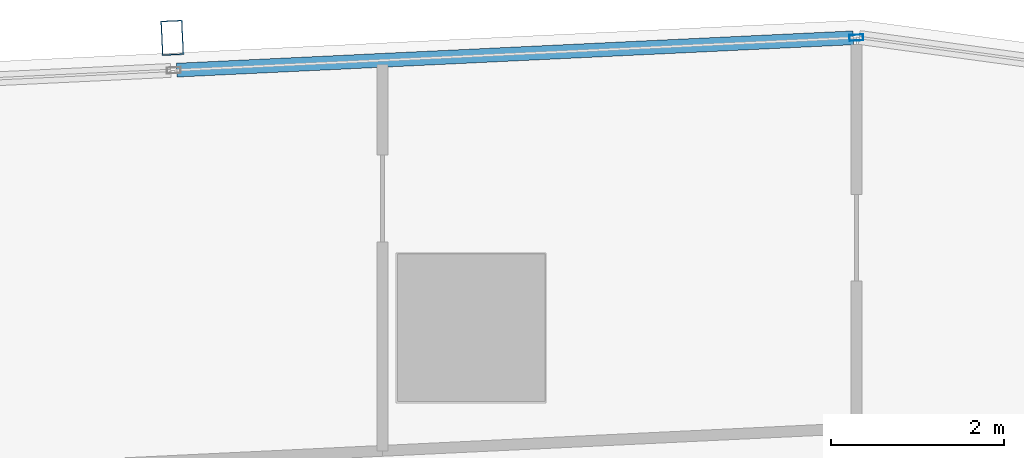
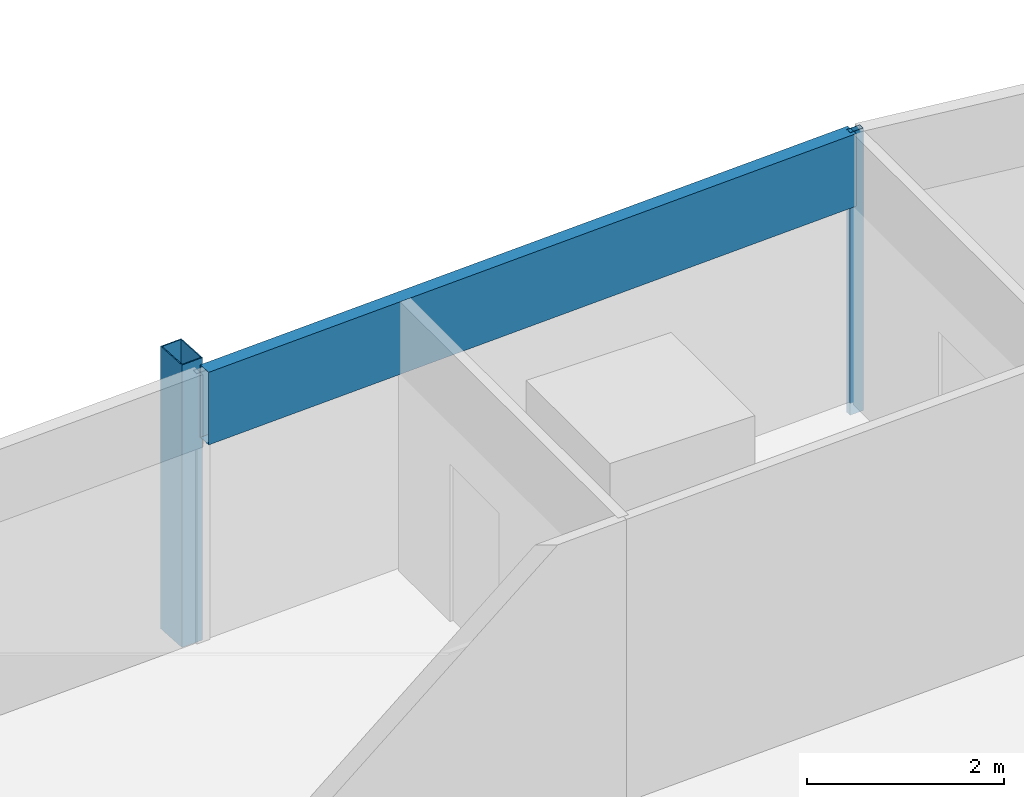
# One storey, part 25 of 39: 3 members, 1 element without a shape of its own.
"""IFC4 building model written with IfcOpenShell, lengths in metres."""

from ifc_helpers import new_model, si_unit, direction, frame, origin, origin_2d, place, context, subcontext, project, spatial, hollow_rectangle, extrude, material, material_profile, profile_set, type_object, element, aggregate, save


model = new_model("IFC4")

# Units and contexts
model_context = context("Model", 3, precision=1e-05, world=origin(), true_north=direction((0.0, 1.0)))
body_context = subcontext(model_context, "Body", "Model", "MODEL_VIEW")
ifc_project = project(units=[si_unit("LENGTHUNIT", "METRE"), si_unit("AREAUNIT", "SQUARE_METRE"), si_unit("VOLUMEUNIT", "CUBIC_METRE"), si_unit("PLANEANGLEUNIT", "RADIAN"), si_unit("MASSUNIT", "GRAM", prefix="KILO")], contexts=[model_context])

# Site, building, storey
site_placement = place(None, origin())
site = spatial("IfcSite", under=ifc_project, at=site_placement, CompositionType="ELEMENT")
building_placement = place(site_placement, origin())
building = spatial("IfcBuilding", under=site, at=building_placement, Name="Rekha Terrace Tower", CompositionType="ELEMENT")
storey_placement = place(building_placement, frame((0.0, 0.0, 183.949951171875)))
storey = spatial("IfcBuildingStorey", under=building, at=storey_placement, Name="L46", CompositionType="ELEMENT", Elevation=183.949951171875)

# Curtain wall, members
ifc_material_1 = material(Name="Aluminium framing", Category="aluminium")
curtain_wall_type = type_object("IfcCurtainWallType", Name="CW3 north unitised glazing", PredefinedType="USERDEFINED", material=ifc_material_1)
curtain_wall_placement = place(storey_placement, origin())
curtain_wall = element("IfcCurtainWall", 1, at=curtain_wall_placement, inside=storey, type_object=curtain_wall_type, Name="CW3 unitised curtain wall", ObjectType="UNITISED CURTAIN WALL", PredefinedType="USERDEFINED")
ifc_material_2 = material(Name="Steel S355 with fluorocarbon finish", Category="steel")
ifc_material_profile_1 = material_profile(ifc_material_2, hollow_rectangle(XDim=0.25, YDim=0.39990234375, WallThickness=0.012451171875, at=origin_2d()), Name="RHS400x250x12.5")
ifc_profile_set_1 = profile_set([ifc_material_profile_1], Name="Steel S355 with fluorocarbon finish")
member_type_1 = type_object("IfcMemberType", Name="BL1 facade blade RHS 400 x 250", PredefinedType="USERDEFINED", material=ifc_profile_set_1)
member_1_placement = place(storey_placement, frame((38.55224609375, 62.145751953125, 0.0), z_axis=(0.0, 0.0, 1.0), x_axis=(-0.998858913274, -0.04775846913, 0.0)))
member_1 = element("IfcMember", 2, at=member_1_placement, type_object=member_type_1, Name="Facade blade", ObjectType="FACADE BLADE", PredefinedType="USERDEFINED", context=body_context, shape_type="SweptSolid", body=[
    extrude(hollow_rectangle(XDim=0.25, YDim=0.39990234375, WallThickness=0.012451171875, at=origin_2d()), origin(), (0.0, 0.0, 1.0), 3.5),
])
ifc_material_3 = material(Name="Aluminium mullion section", Category="aluminium")
ifc_material_profile_2 = material_profile(ifc_material_3, hollow_rectangle(XDim=0.070068359375, YDim=0.159912109375, WallThickness=0.00390625, at=origin_2d()), Name="AL RHS 70x160")
ifc_profile_set_2 = profile_set([ifc_material_profile_2], Name="Aluminium mullion section")
member_type_2 = type_object("IfcMemberType", Name="CW3 mullion RHS 70 x 160", PredefinedType="MULLION", material=ifc_profile_set_2)
member_2_placement = place(storey_placement, frame((46.4443359375, 62.147705078125, 0.0), z_axis=(0.0, 0.0, 1.0), x_axis=(0.047758616983, -0.998858906204, 0.0)))
member_2 = element("IfcMember", 3, at=member_2_placement, type_object=member_type_2, Name="CW3 mullion 1", PredefinedType="MULLION", context=body_context, shape_type="SweptSolid", body=[
    extrude(hollow_rectangle(XDim=0.070068359375, YDim=0.159912109375, WallThickness=0.00390625, at=origin_2d()), origin(), (0.0, 0.0, 1.0), 3.5),
])
ifc_material_4 = material(Name="Insulated aluminium spandrel box", Category="aluminium")
ifc_material_profile_3 = material_profile(ifc_material_4, hollow_rectangle(XDim=0.159912109375, YDim=0.89990234375, WallThickness=0.0029296875, at=origin_2d()), Name="AL SPANDREL BOX 160x900")
ifc_profile_set_3 = profile_set([ifc_material_profile_3], Name="Insulated aluminium spandrel box")
member_type_3 = type_object("IfcMemberType", Name="CW3 spandrel transom 160 x 900", PredefinedType="USERDEFINED", material=ifc_profile_set_3)
member_3_placement = place(storey_placement, frame((46.4091796875, 62.14599609375, 3.050048828125), z_axis=(-0.998859425172, -0.047747761666, 0.0), x_axis=(0.047747761666, -0.998859425172, 0.0)))
member_3 = element("IfcMember", 4, at=member_3_placement, type_object=member_type_3, Name="CW3 spandrel transom 1", ObjectType="TRANSOM", PredefinedType="USERDEFINED", context=body_context, shape_type="SweptSolid", body=[
    extrude(hollow_rectangle(XDim=0.159912109375, YDim=0.89990234375, WallThickness=0.0029296875, at=origin_2d()), origin(), (0.0, 0.0, 1.0), 7.81298828125),
])
aggregate(curtain_wall, [member_2, member_3, member_1])

save(model, "model.ifc")
